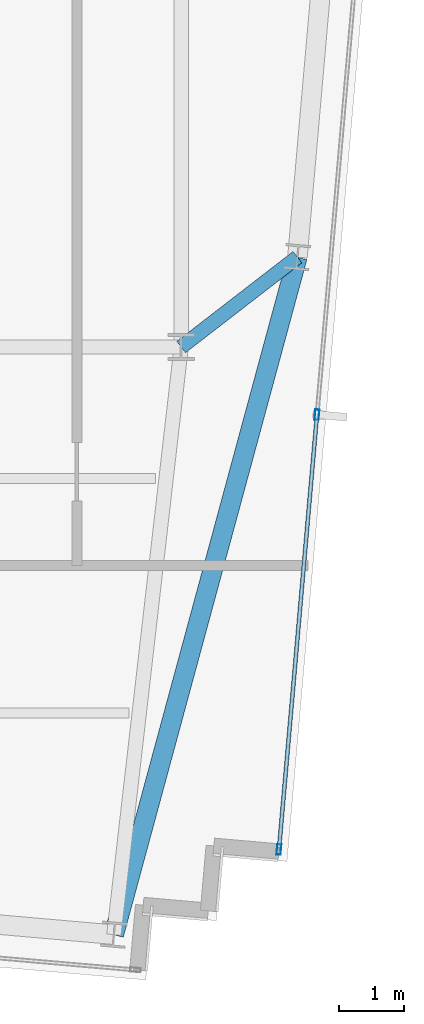
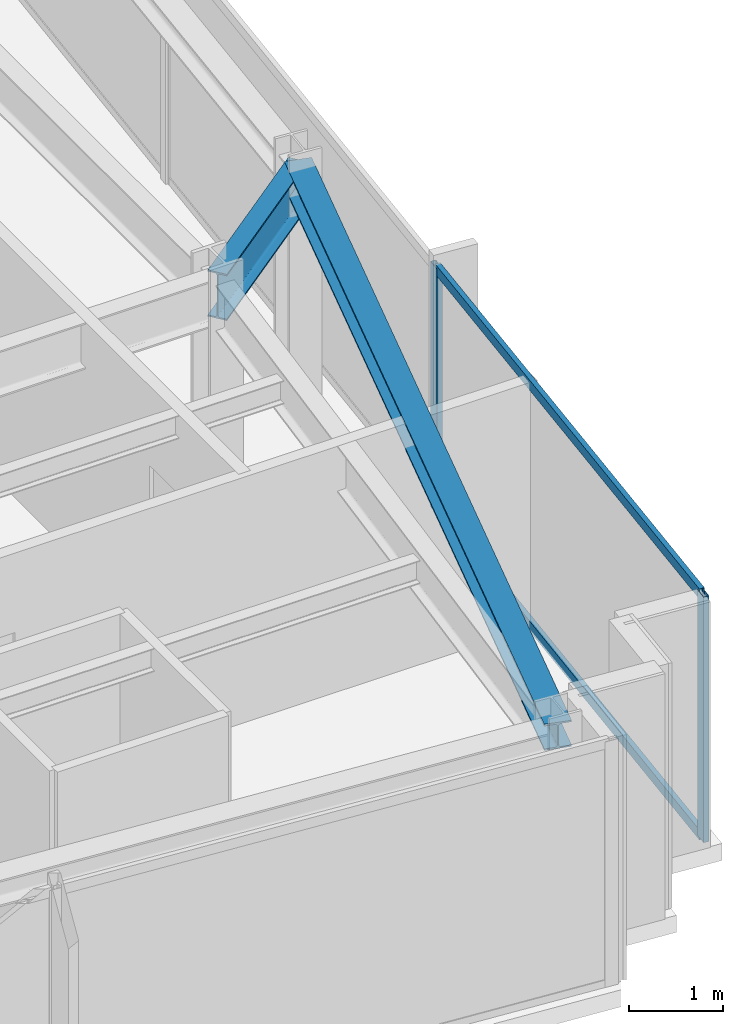
# One storey, part 16 of 32: 4 members, 2 beams, 1 element without a shape of its own.
"""IFC4 building model written with IfcOpenShell, lengths in metres."""

from ifc_helpers import new_model, si_unit, direction, frame, origin, origin_2d, place, context, subcontext, project, spatial, hollow_rectangle, i_section, extrude, material, material_profile, profile_set, type_object, element, aggregate, save


model = new_model("IFC4")

# Units and contexts
model_context = context("Model", 3, precision=1e-05, world=origin(), true_north=direction((0.0, 1.0)))
body_context = subcontext(model_context, "Body", "Model", "MODEL_VIEW")
ifc_project = project(units=[si_unit("LENGTHUNIT", "METRE"), si_unit("AREAUNIT", "SQUARE_METRE"), si_unit("VOLUMEUNIT", "CUBIC_METRE"), si_unit("PLANEANGLEUNIT", "RADIAN"), si_unit("MASSUNIT", "GRAM", prefix="KILO")], contexts=[model_context])

# Site, building, storey
site_placement = place(None, origin())
site = spatial("IfcSite", under=ifc_project, at=site_placement, CompositionType="ELEMENT")
building_placement = place(site_placement, origin())
building = spatial("IfcBuilding", under=site, at=building_placement, Name="Yelkora Congress Tower", CompositionType="ELEMENT")
storey_placement = place(building_placement, frame((0.0, 0.0, 276.10009765625)))
storey = spatial("IfcBuildingStorey", under=building, at=storey_placement, Name="L77", CompositionType="ELEMENT", Elevation=276.10009765625)

# Beams
ifc_material_1 = material(Name="Steel S355J2", Category="steel")
ifc_material_profile_1 = material_profile(ifc_material_1, i_section(OverallWidth=0.219970703125, OverallDepth=0.60009765625, WebThickness=0.011962890625, FlangeThickness=0.01904296875, FilletRadius=0.02392578125, at=origin_2d()), Name="IPE 600")
ifc_profile_set_1 = profile_set([ifc_material_profile_1], Name="Steel S355J2")
beam_type_1 = type_object("IfcBeamType", Name="BM-GIRD-IPE600", PredefinedType="BEAM", material=ifc_profile_set_1)
beam_1_placement = place(storey_placement, frame((55.543701171875, 26.57861328125, 2.8798828125), z_axis=(-0.791208781933, -0.611546125318, 0.0), x_axis=(0.611546125318, -0.791208781933, 0.0)))
element("IfcBeam", 1, at=beam_1_placement, inside=storey, type_object=beam_type_1, Name="L77 Primary Frame Girder E01", PredefinedType="BEAM", context=body_context, shape_type="SweptSolid", body=[
    extrude(i_section(OverallWidth=0.219970703125, OverallDepth=0.60009765625, WebThickness=0.011962890625, FlangeThickness=0.01904296875, FilletRadius=0.02392578125, at=origin_2d()), origin(), (0.0, 0.0, 1.0), 2.25439453125),
])
ifc_material_profile_2 = material_profile(ifc_material_1, i_section(OverallWidth=0.300048828125, OverallDepth=0.340087890625, WebThickness=0.011962890625, FlangeThickness=0.021484375, FilletRadius=0.027099609375, at=origin_2d()), Name="HEB 340")
ifc_profile_set_2 = profile_set([ifc_material_profile_2], Name="Steel S355J2")
beam_type_2 = type_object("IfcBeamType", Name="BM-SPAN-HEB340", PredefinedType="SPANDREL", material=ifc_profile_set_2)
beam_2_placement = place(storey_placement, frame((52.727294921875, 16.1845703125, 3.010009765625), z_axis=(0.261532523212, 0.965194663942, 0.0), x_axis=(-0.965194663942, 0.261532523212, 0.0)))
element("IfcBeam", 2, at=beam_2_placement, inside=storey, type_object=beam_type_2, Name="L77 Perimeter Beam 7", PredefinedType="SPANDREL", context=body_context, shape_type="SweptSolid", body=[
    extrude(i_section(OverallWidth=0.300048828125, OverallDepth=0.340087890625, WebThickness=0.011962890625, FlangeThickness=0.021484375, FilletRadius=0.027099609375, at=origin_2d()), origin(), (0.0, 0.0, 1.0), 10.768798828125),
])

# Curtain wall, members
ifc_material_2 = material(Name="Anodised aluminium and insulated glass", Category="aluminium")
curtain_wall_type = type_object("IfcCurtainWallType", Name="CW-SYS-B5", PredefinedType="NOTDEFINED", material=ifc_material_2)
curtain_wall_placement = place(storey_placement, origin())
curtain_wall = element("IfcCurtainWall", 3, at=curtain_wall_placement, inside=storey, type_object=curtain_wall_type, Name="L77 Unitised Curtain Wall 15", PredefinedType="NOTDEFINED")
ifc_material_3 = material(Name="Anodised aluminium 6063-T6", Category="aluminium")
ifc_material_profile_3 = material_profile(ifc_material_3, hollow_rectangle(XDim=0.06494140625, YDim=0.159912109375, WallThickness=0.00390625, at=origin_2d()), Name="ALU 65x160x4")
ifc_profile_set_3 = profile_set([ifc_material_profile_3], Name="Anodised aluminium 6063-T6")
member_type_1 = type_object("IfcMemberType", Name="MEM-ML-B5", PredefinedType="MULLION", material=ifc_profile_set_3)
member_1_placement = place(storey_placement, frame((55.844482421875, 24.1630859375, 0.0), z_axis=(0.0, 0.0, 1.0), x_axis=(0.996194463398, -0.087158425264, 0.0)))
member_1 = element("IfcMember", 4, at=member_1_placement, type_object=member_type_1, Name="CW-B5 mullion 4", PredefinedType="MULLION", context=body_context, shape_type="SweptSolid", body=[
    extrude(hollow_rectangle(XDim=0.06494140625, YDim=0.159912109375, WallThickness=0.00390625, at=origin_2d()), origin(), (0.0, 0.0, 1.0), 3.179931640625),
])
member_2_placement = place(storey_placement, frame((55.2607421875, 17.4912109375, 0.0), z_axis=(0.0, 0.0, 1.0), x_axis=(0.996194463398, -0.087158425264, 0.0)))
member_2 = element("IfcMember", 5, at=member_2_placement, type_object=member_type_1, Name="CW-B5 mullion 5", PredefinedType="MULLION", context=body_context, shape_type="SweptSolid", body=[
    extrude(hollow_rectangle(XDim=0.06494140625, YDim=0.159912109375, WallThickness=0.00390625, at=origin_2d()), origin(), (0.0, 0.0, 1.0), 3.179931640625),
])
ifc_material_profile_4 = material_profile(ifc_material_3, hollow_rectangle(XDim=0.06005859375, YDim=0.1298828125, WallThickness=0.00390625, at=origin_2d()), Name="ALU 60x130x4")
ifc_profile_set_4 = profile_set([ifc_material_profile_4], Name="Anodised aluminium 6063-T6")
member_type_2 = type_object("IfcMemberType", Name="MEM-TR-B5", PredefinedType="USERDEFINED", material=ifc_profile_set_4)
member_3_placement = place(storey_placement, frame((55.841552734375, 24.130859375, 0.02978515625), z_axis=(-0.087163297365, -0.996194037119, 0.0), x_axis=(0.996194037119, -0.087163297365, 0.0)))
member_3 = element("IfcMember", 6, at=member_3_placement, type_object=member_type_2, Name="CW-B5 transom 4.1", ObjectType="TRANSOM", PredefinedType="USERDEFINED", context=body_context, shape_type="SweptSolid", body=[
    extrude(hollow_rectangle(XDim=0.06005859375, YDim=0.1298828125, WallThickness=0.00390625, at=origin_2d()), origin(), (0.0, 0.0, 1.0), 6.632568359375),
])
member_4_placement = place(storey_placement, frame((55.841552734375, 24.130859375, 3.14990234375), z_axis=(-0.087163297365, -0.996194037119, 0.0), x_axis=(0.996194037119, -0.087163297365, 0.0)))
member_4 = element("IfcMember", 7, at=member_4_placement, type_object=member_type_2, Name="CW-B5 transom 4.2", ObjectType="TRANSOM", PredefinedType="USERDEFINED", context=body_context, shape_type="SweptSolid", body=[
    extrude(hollow_rectangle(XDim=0.06005859375, YDim=0.1298828125, WallThickness=0.00390625, at=origin_2d()), origin(), (0.0, 0.0, 1.0), 6.632568359375),
])
aggregate(curtain_wall, [member_1, member_2, member_3, member_4])

save(model, "model.ifc")
